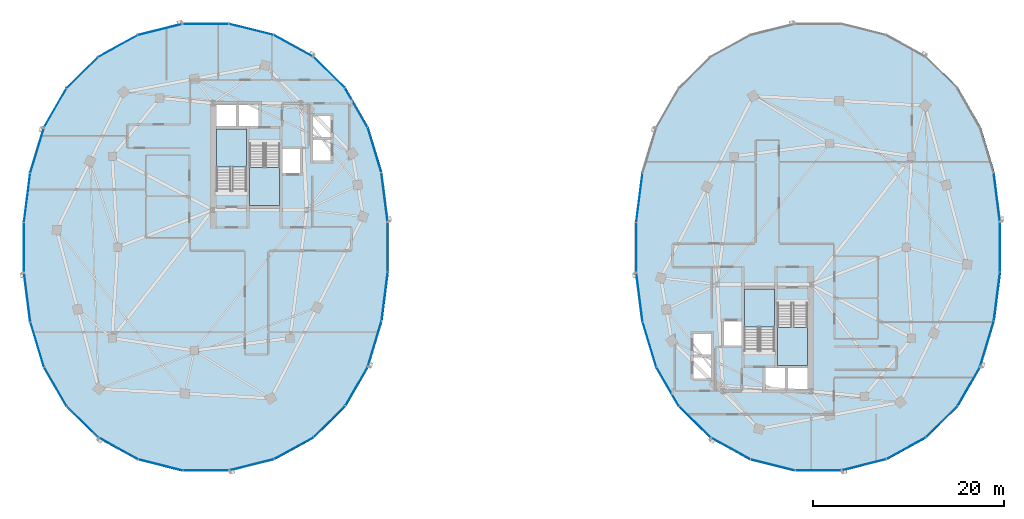
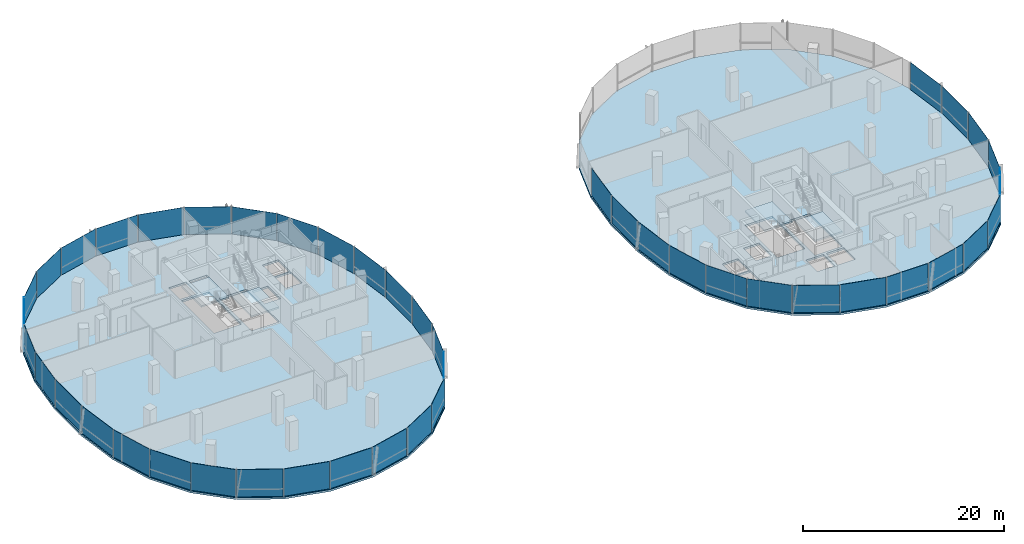
# One storey, part 10 of 22: 45 plates, 6 slabs, 12 elements without a shape of their own.
"""IFC4 building model written with IfcOpenShell, lengths in metres."""

from ifc_helpers import new_model, si_unit, direction, frame, origin, origin_2d, place, context, subcontext, project, spatial, polyline, rectangle, outline, extrude, material, layer, layer_set, type_object, element, aggregate, save


model = new_model("IFC4")

# Units and contexts
model_context = context("Model", 3, precision=1e-05, world=origin(), true_north=direction((0.0, 1.0)))
body_context = subcontext(model_context, "Body", "Model", "MODEL_VIEW")
ifc_project = project(units=[si_unit("LENGTHUNIT", "METRE"), si_unit("AREAUNIT", "SQUARE_METRE"), si_unit("VOLUMEUNIT", "CUBIC_METRE"), si_unit("PLANEANGLEUNIT", "RADIAN"), si_unit("MASSUNIT", "GRAM", prefix="KILO"), si_unit("THERMODYNAMICTEMPERATUREUNIT", "KELVIN"), si_unit("POWERUNIT", "WATT")], contexts=[model_context])

# Site, building, storey
site_placement = place(None, origin())
site = spatial("IfcSite", under=ifc_project, at=site_placement, CompositionType="ELEMENT")
building_placement = place(site_placement, origin())
building = spatial("IfcBuilding", under=site, at=building_placement, Name="Cundina Bronze Exchange", CompositionType="ELEMENT")
storey_placement = place(building_placement, frame((0.0, 0.0, 158.39990234375)))
storey = spatial("IfcBuildingStorey", under=building, at=storey_placement, Name="L41", CompositionType="ELEMENT", Elevation=158.39990234375)

# Curtain wall, plates
ifc_material_1 = material(Name="Anodised Bronze Aluminium 6063-T6", Category="aluminium")
curtain_wall_type = type_object("IfcCurtainWallType", Name="CWS-WST-PIN", PredefinedType="NOTDEFINED", material=ifc_material_1)
curtain_wall_1_placement = place(storey_placement, origin())
curtain_wall_1 = element("IfcCurtainWall", 1, at=curtain_wall_1_placement, inside=storey, type_object=curtain_wall_type, Name="L41 CW-04 Curtain Wall Run CWR-L41-W1", PredefinedType="NOTDEFINED")
ifc_material_2 = material(Name="Heat-Strengthened Solar-Control Bronze Safety Glass 28mm", Category="glass")
ifc_layer_1 = layer(ifc_material_2, 0.028076171875, Name="Heat-Strengthened Solar-Control Bronze Safety Glass 28mm", Category="glass")
ifc_layer_set_1 = layer_set([ifc_layer_1], Name="Heat-Strengthened Solar-Control Bronze Safety Glass 28mm")
plate_type_1 = type_object("IfcPlateType", Name="PLT-GLZ-VIS28", PredefinedType="CURTAIN_PANEL", material=ifc_layer_set_1)
plate_1_placement = place(storey_placement, frame((-13.320556640625, 5.2041015625, 0.02001953125), z_axis=(0.0, 0.0, 1.0), x_axis=(-0.126475984253, 0.9919696696, 0.0)))
plate_1 = element("IfcPlate", 2, at=plate_1_placement, type_object=plate_type_1, Name="CW-04 Glazed Panel 1", PredefinedType="CURTAIN_PANEL", context=body_context, shape_type="SweptSolid", body=[
    extrude(rectangle(XDim=5.104736328125, YDim=0.028076171875, at=origin_2d()), origin(), (0.0, 0.0, 1.0), 3.320068359375),
])
plate_2_placement = place(storey_placement, frame((-14.36669921875, 10.14208984375, 0.02001953125), z_axis=(0.0, 0.0, 1.0), x_axis=(-0.290050843957, 0.957011237092, 0.0)))
plate_2 = element("IfcPlate", 3, at=plate_2_placement, type_object=plate_type_1, Name="CW-04 Glazed Panel 2", PredefinedType="CURTAIN_PANEL", context=body_context, shape_type="SweptSolid", body=[
    extrude(rectangle(XDim=4.885009765625, YDim=0.028076171875, at=origin_2d()), origin(), (0.0, 0.0, 1.0), 3.320068359375),
])
plate_3_placement = place(storey_placement, frame((-16.265625, 14.564697265625, 0.02001953125), z_axis=(0.0, 0.0, 1.0), x_axis=(-0.498487739754, 0.866896748936, 0.0)))
plate_3 = element("IfcPlate", 4, at=plate_3_placement, type_object=plate_type_1, Name="CW-04 Glazed Panel 3", PredefinedType="CURTAIN_PANEL", context=body_context, shape_type="SweptSolid", body=[
    extrude(rectangle(XDim=4.676513671875, YDim=0.028076171875, at=origin_2d()), origin(), (0.0, 0.0, 1.0), 3.320068359375),
])
plate_4_placement = place(storey_placement, frame((-22.83154296875, 21.02880859375, 0.02001953125), z_axis=(0.0, 0.0, 1.0), x_axis=(-0.875869093438, 0.482548786301, 0.0)))
plate_4 = element("IfcPlate", 5, at=plate_4_placement, type_object=plate_type_1, Name="CW-04 Glazed Panel 5", PredefinedType="CURTAIN_PANEL", context=body_context, shape_type="SweptSolid", body=[
    extrude(rectangle(XDim=4.661865234375, YDim=0.028076171875, at=origin_2d()), origin(), (0.0, 0.0, 1.0), 3.320068359375),
])
plate_5_placement = place(storey_placement, frame((-27.23486328125, 22.75244140625, 0.02001953125), z_axis=(0.0, 0.0, 1.0), x_axis=(-0.970092713791, 0.242734683656, 0.0)))
plate_5 = element("IfcPlate", 6, at=plate_5_placement, type_object=plate_type_1, Name="CW-04 Glazed Panel 6", PredefinedType="CURTAIN_PANEL", context=body_context, shape_type="SweptSolid", body=[
    extrude(rectangle(XDim=4.7548828125, YDim=0.028076171875, at=origin_2d()), origin(), (0.0, 0.0, 1.0), 3.320068359375),
])
plate_6_placement = place(storey_placement, frame((-32.0, 23.3369140625, 0.02001953125), z_axis=(0.0, 0.0, 1.0), x_axis=(-1.0, 0.0, 0.0)))
plate_6 = element("IfcPlate", 7, at=plate_6_placement, type_object=plate_type_1, Name="CW-04 Glazed Panel 7", PredefinedType="CURTAIN_PANEL", context=body_context, shape_type="SweptSolid", body=[
    extrude(rectangle(XDim=4.7958984375, YDim=0.028076171875, at=origin_2d()), origin(), (0.0, 0.0, 1.0), 3.320068359375),
])

curtain_wall_2_placement = place(storey_placement, origin())
curtain_wall_2 = element("IfcCurtainWall", 8, at=curtain_wall_2_placement, inside=storey, type_object=curtain_wall_type, Name="L41 CW-04 Curtain Wall Run CWR-L41-W2", PredefinedType="NOTDEFINED")
plate_7_placement = place(storey_placement, frame((-36.76513671875, 22.75244140625, 0.02001953125), z_axis=(0.0, 0.0, 1.0), x_axis=(-0.970092713791, -0.242734683656, 0.0)))
plate_7 = element("IfcPlate", 9, at=plate_7_placement, type_object=plate_type_1, Name="CW-04 Glazed Panel 1", PredefinedType="CURTAIN_PANEL", context=body_context, shape_type="SweptSolid", body=[
    extrude(rectangle(XDim=4.7548828125, YDim=0.028076171875, at=origin_2d()), origin(), (0.0, 0.0, 1.0), 3.320068359375),
])
plate_8_placement = place(storey_placement, frame((-41.16845703125, 21.02880859375, 0.02001953125), z_axis=(0.0, 0.0, 1.0), x_axis=(-0.875869093438, -0.482548786301, 0.0)))
plate_8 = element("IfcPlate", 10, at=plate_8_placement, type_object=plate_type_1, Name="CW-04 Glazed Panel 2", PredefinedType="CURTAIN_PANEL", context=body_context, shape_type="SweptSolid", body=[
    extrude(rectangle(XDim=4.661865234375, YDim=0.028076171875, at=origin_2d()), origin(), (0.0, 0.0, 1.0), 3.320068359375),
])
plate_9_placement = place(storey_placement, frame((-47.734375, 14.564697265625, 0.02001953125), z_axis=(0.0, 0.0, 1.0), x_axis=(-0.498487739754, -0.866896748936, 0.0)))
plate_9 = element("IfcPlate", 11, at=plate_9_placement, type_object=plate_type_1, Name="CW-04 Glazed Panel 4", PredefinedType="CURTAIN_PANEL", context=body_context, shape_type="SweptSolid", body=[
    extrude(rectangle(XDim=4.676513671875, YDim=0.028076171875, at=origin_2d()), origin(), (0.0, 0.0, 1.0), 3.320068359375),
])
plate_10_placement = place(storey_placement, frame((-49.63330078125, 10.14208984375, 0.02001953125), z_axis=(0.0, 0.0, 1.0), x_axis=(-0.290050843957, -0.957011237092, 0.0)))
plate_10 = element("IfcPlate", 12, at=plate_10_placement, type_object=plate_type_1, Name="CW-04 Glazed Panel 5", PredefinedType="CURTAIN_PANEL", context=body_context, shape_type="SweptSolid", body=[
    extrude(rectangle(XDim=4.885009765625, YDim=0.028076171875, at=origin_2d()), origin(), (0.0, 0.0, 1.0), 3.320068359375),
])
plate_11_placement = place(storey_placement, frame((-50.679443359375, 5.2041015625, 0.02001953125), z_axis=(0.0, 0.0, 1.0), x_axis=(-0.126475984253, -0.9919696696, 0.0)))
plate_11 = element("IfcPlate", 13, at=plate_11_placement, type_object=plate_type_1, Name="CW-04 Glazed Panel 6", PredefinedType="CURTAIN_PANEL", context=body_context, shape_type="SweptSolid", body=[
    extrude(rectangle(XDim=5.104736328125, YDim=0.028076171875, at=origin_2d()), origin(), (0.0, 0.0, 1.0), 3.320068359375),
])
plate_12_placement = place(storey_placement, frame((-51.007080078125, 0.0, 0.02001953125), z_axis=(0.0, 0.0, 1.0), x_axis=(0.0, -1.0, 0.0)))
plate_12 = element("IfcPlate", 14, at=plate_12_placement, type_object=plate_type_1, Name="CW-04 Glazed Panel 7", PredefinedType="CURTAIN_PANEL", context=body_context, shape_type="SweptSolid", body=[
    extrude(rectangle(XDim=5.194091796875, YDim=0.028076171875, at=origin_2d()), origin(), (0.0, 0.0, 1.0), 3.320068359375),
])

curtain_wall_3_placement = place(storey_placement, origin())
curtain_wall_3 = element("IfcCurtainWall", 15, at=curtain_wall_3_placement, inside=storey, type_object=curtain_wall_type, Name="L41 CW-04 Curtain Wall Run CWR-L41-W3", PredefinedType="NOTDEFINED")
plate_13_placement = place(storey_placement, frame((-50.679443359375, -5.2041015625, 0.02001953125), z_axis=(0.0, 0.0, 1.0), x_axis=(0.126475984253, -0.9919696696, 0.0)))
plate_13 = element("IfcPlate", 16, at=plate_13_placement, type_object=plate_type_1, Name="CW-04 Glazed Panel 1", PredefinedType="CURTAIN_PANEL", context=body_context, shape_type="SweptSolid", body=[
    extrude(rectangle(XDim=5.104736328125, YDim=0.028076171875, at=origin_2d()), origin(), (0.0, 0.0, 1.0), 3.320068359375),
])
plate_14_placement = place(storey_placement, frame((-47.734375, -14.564697265625, 0.02001953125), z_axis=(0.0, 0.0, 1.0), x_axis=(0.498487739754, -0.866896748936, 0.0)))
plate_14 = element("IfcPlate", 17, at=plate_14_placement, type_object=plate_type_1, Name="CW-04 Glazed Panel 3", PredefinedType="CURTAIN_PANEL", context=body_context, shape_type="SweptSolid", body=[
    extrude(rectangle(XDim=4.676513671875, YDim=0.028076171875, at=origin_2d()), origin(), (0.0, 0.0, 1.0), 3.320068359375),
])
plate_15_placement = place(storey_placement, frame((-44.894775390625, -18.253662109375, 0.02001953125), z_axis=(0.0, 0.0, 1.0), x_axis=(0.711989280367, -0.702190333629, 0.0)))
plate_15 = element("IfcPlate", 18, at=plate_15_placement, type_object=plate_type_1, Name="CW-04 Glazed Panel 4", PredefinedType="CURTAIN_PANEL", context=body_context, shape_type="SweptSolid", body=[
    extrude(rectangle(XDim=4.6025390625, YDim=0.028076171875, at=origin_2d()), origin(), (0.0, 0.0, 1.0), 3.320068359375),
])
plate_16_placement = place(storey_placement, frame((-41.16845703125, -21.02880859375, 0.02001953125), z_axis=(0.0, 0.0, 1.0), x_axis=(0.875869093438, -0.482548786301, 0.0)))
plate_16 = element("IfcPlate", 19, at=plate_16_placement, type_object=plate_type_1, Name="CW-04 Glazed Panel 5", PredefinedType="CURTAIN_PANEL", context=body_context, shape_type="SweptSolid", body=[
    extrude(rectangle(XDim=4.661865234375, YDim=0.028076171875, at=origin_2d()), origin(), (0.0, 0.0, 1.0), 3.320068359375),
])
plate_17_placement = place(storey_placement, frame((-36.76513671875, -22.75244140625, 0.02001953125), z_axis=(0.0, 0.0, 1.0), x_axis=(0.970092713791, -0.242734683656, 0.0)))
plate_17 = element("IfcPlate", 20, at=plate_17_placement, type_object=plate_type_1, Name="CW-04 Glazed Panel 6", PredefinedType="CURTAIN_PANEL", context=body_context, shape_type="SweptSolid", body=[
    extrude(rectangle(XDim=4.7548828125, YDim=0.028076171875, at=origin_2d()), origin(), (0.0, 0.0, 1.0), 3.320068359375),
])

curtain_wall_4_placement = place(storey_placement, origin())
curtain_wall_4 = element("IfcCurtainWall", 21, at=curtain_wall_4_placement, inside=storey, type_object=curtain_wall_type, Name="L41 CW-04 Curtain Wall Run CWR-L41-W4", PredefinedType="NOTDEFINED")
plate_18_placement = place(storey_placement, frame((-22.83154296875, -21.02880859375, 0.02001953125), z_axis=(0.0, 0.0, 1.0), x_axis=(0.875869093438, 0.482548786301, 0.0)))
plate_18 = element("IfcPlate", 22, at=plate_18_placement, type_object=plate_type_1, Name="CW-04 Glazed Panel 2", PredefinedType="CURTAIN_PANEL", context=body_context, shape_type="SweptSolid", body=[
    extrude(rectangle(XDim=4.661865234375, YDim=0.028076171875, at=origin_2d()), origin(), (0.0, 0.0, 1.0), 3.320068359375),
])
plate_19_placement = place(storey_placement, frame((-19.105224609375, -18.253662109375, 0.02001953125), z_axis=(0.0, 0.0, 1.0), x_axis=(0.711989280367, 0.702190333629, 0.0)))
plate_19 = element("IfcPlate", 23, at=plate_19_placement, type_object=plate_type_1, Name="CW-04 Glazed Panel 3", PredefinedType="CURTAIN_PANEL", context=body_context, shape_type="SweptSolid", body=[
    extrude(rectangle(XDim=4.6025390625, YDim=0.028076171875, at=origin_2d()), origin(), (0.0, 0.0, 1.0), 3.320068359375),
])
plate_20_placement = place(storey_placement, frame((-16.265625, -14.564697265625, 0.02001953125), z_axis=(0.0, 0.0, 1.0), x_axis=(0.498487739754, 0.866896748936, 0.0)))
plate_20 = element("IfcPlate", 24, at=plate_20_placement, type_object=plate_type_1, Name="CW-04 Glazed Panel 4", PredefinedType="CURTAIN_PANEL", context=body_context, shape_type="SweptSolid", body=[
    extrude(rectangle(XDim=4.676513671875, YDim=0.028076171875, at=origin_2d()), origin(), (0.0, 0.0, 1.0), 3.320068359375),
])
plate_21_placement = place(storey_placement, frame((-14.36669921875, -10.14208984375, 0.02001953125), z_axis=(0.0, 0.0, 1.0), x_axis=(0.290050843957, 0.957011237092, 0.0)))
plate_21 = element("IfcPlate", 25, at=plate_21_placement, type_object=plate_type_1, Name="CW-04 Glazed Panel 5", PredefinedType="CURTAIN_PANEL", context=body_context, shape_type="SweptSolid", body=[
    extrude(rectangle(XDim=4.885009765625, YDim=0.028076171875, at=origin_2d()), origin(), (0.0, 0.0, 1.0), 3.320068359375),
])
plate_22_placement = place(storey_placement, frame((-12.992919921875, 0.0, 0.02001953125), z_axis=(0.0, 0.0, 1.0), x_axis=(0.0, 1.0, 0.0)))
plate_22 = element("IfcPlate", 26, at=plate_22_placement, type_object=plate_type_1, Name="CW-04 Glazed Panel 7", PredefinedType="CURTAIN_PANEL", context=body_context, shape_type="SweptSolid", body=[
    extrude(rectangle(XDim=5.194091796875, YDim=0.028076171875, at=origin_2d()), origin(), (0.0, 0.0, 1.0), 3.320068359375),
])

# Curtain wall, plate
curtain_wall_5_placement = place(storey_placement, origin())
curtain_wall_5 = element("IfcCurtainWall", 27, at=curtain_wall_5_placement, inside=storey, type_object=curtain_wall_type, Name="L41 CW-04 Curtain Wall Run CWR-L41-E1", PredefinedType="NOTDEFINED")
plate_23_placement = place(storey_placement, frame((50.679443359375, 5.2041015625, 0.02001953125), z_axis=(0.0, 0.0, 1.0), x_axis=(-0.126475984253, 0.9919696696, 0.0)))
plate_23 = element("IfcPlate", 28, at=plate_23_placement, type_object=plate_type_1, Name="CW-04 Glazed Panel 1", PredefinedType="CURTAIN_PANEL", context=body_context, shape_type="SweptSolid", body=[
    extrude(rectangle(XDim=5.104736328125, YDim=0.028076171875, at=origin_2d()), origin(), (0.0, 0.0, 1.0), 3.320068359375),
])
aggregate(curtain_wall_5, [plate_23])

# Curtain wall, plates
curtain_wall_6_placement = place(storey_placement, origin())
curtain_wall_6 = element("IfcCurtainWall", 29, at=curtain_wall_6_placement, inside=storey, type_object=curtain_wall_type, Name="L41 CW-04 Curtain Wall Run CWR-L41-E2", PredefinedType="NOTDEFINED")
plate_24_placement = place(storey_placement, frame((13.320556640625, 5.2041015625, 0.02001953125), z_axis=(0.0, 0.0, 1.0), x_axis=(-0.126475984253, -0.9919696696, 0.0)))
plate_24 = element("IfcPlate", 30, at=plate_24_placement, type_object=plate_type_1, Name="CW-04 Glazed Panel 6", PredefinedType="CURTAIN_PANEL", context=body_context, shape_type="SweptSolid", body=[
    extrude(rectangle(XDim=5.104736328125, YDim=0.028076171875, at=origin_2d()), origin(), (0.0, 0.0, 1.0), 3.320068359375),
])
plate_25_placement = place(storey_placement, frame((12.992919921875, 0.0, 0.02001953125), z_axis=(0.0, 0.0, 1.0), x_axis=(0.0, -1.0, 0.0)))
plate_25 = element("IfcPlate", 31, at=plate_25_placement, type_object=plate_type_1, Name="CW-04 Glazed Panel 7", PredefinedType="CURTAIN_PANEL", context=body_context, shape_type="SweptSolid", body=[
    extrude(rectangle(XDim=5.194091796875, YDim=0.028076171875, at=origin_2d()), origin(), (0.0, 0.0, 1.0), 3.320068359375),
])
aggregate(curtain_wall_6, [plate_24, plate_25])

curtain_wall_7_placement = place(storey_placement, origin())
curtain_wall_7 = element("IfcCurtainWall", 32, at=curtain_wall_7_placement, inside=storey, type_object=curtain_wall_type, Name="L41 CW-04 Curtain Wall Run CWR-L41-E3", PredefinedType="NOTDEFINED")
plate_26_placement = place(storey_placement, frame((13.320556640625, -5.2041015625, 0.02001953125), z_axis=(0.0, 0.0, 1.0), x_axis=(0.126475984253, -0.9919696696, 0.0)))
plate_26 = element("IfcPlate", 33, at=plate_26_placement, type_object=plate_type_1, Name="CW-04 Glazed Panel 1", PredefinedType="CURTAIN_PANEL", context=body_context, shape_type="SweptSolid", body=[
    extrude(rectangle(XDim=5.104736328125, YDim=0.028076171875, at=origin_2d()), origin(), (0.0, 0.0, 1.0), 3.320068359375),
])
plate_27_placement = place(storey_placement, frame((16.265625, -14.564697265625, 0.02001953125), z_axis=(0.0, 0.0, 1.0), x_axis=(0.498487739754, -0.866896748936, 0.0)))
plate_27 = element("IfcPlate", 34, at=plate_27_placement, type_object=plate_type_1, Name="CW-04 Glazed Panel 3", PredefinedType="CURTAIN_PANEL", context=body_context, shape_type="SweptSolid", body=[
    extrude(rectangle(XDim=4.676513671875, YDim=0.028076171875, at=origin_2d()), origin(), (0.0, 0.0, 1.0), 3.320068359375),
])
plate_28_placement = place(storey_placement, frame((19.105224609375, -18.253662109375, 0.02001953125), z_axis=(0.0, 0.0, 1.0), x_axis=(0.711989280367, -0.702190333629, 0.0)))
plate_28 = element("IfcPlate", 35, at=plate_28_placement, type_object=plate_type_1, Name="CW-04 Glazed Panel 4", PredefinedType="CURTAIN_PANEL", context=body_context, shape_type="SweptSolid", body=[
    extrude(rectangle(XDim=4.6025390625, YDim=0.028076171875, at=origin_2d()), origin(), (0.0, 0.0, 1.0), 3.320068359375),
])
plate_29_placement = place(storey_placement, frame((22.83154296875, -21.02880859375, 0.02001953125), z_axis=(0.0, 0.0, 1.0), x_axis=(0.875869093438, -0.482548786301, 0.0)))
plate_29 = element("IfcPlate", 36, at=plate_29_placement, type_object=plate_type_1, Name="CW-04 Glazed Panel 5", PredefinedType="CURTAIN_PANEL", context=body_context, shape_type="SweptSolid", body=[
    extrude(rectangle(XDim=4.661865234375, YDim=0.028076171875, at=origin_2d()), origin(), (0.0, 0.0, 1.0), 3.320068359375),
])
plate_30_placement = place(storey_placement, frame((27.23486328125, -22.75244140625, 0.02001953125), z_axis=(0.0, 0.0, 1.0), x_axis=(0.970092713791, -0.242734683656, 0.0)))
plate_30 = element("IfcPlate", 37, at=plate_30_placement, type_object=plate_type_1, Name="CW-04 Glazed Panel 6", PredefinedType="CURTAIN_PANEL", context=body_context, shape_type="SweptSolid", body=[
    extrude(rectangle(XDim=4.7548828125, YDim=0.028076171875, at=origin_2d()), origin(), (0.0, 0.0, 1.0), 3.320068359375),
])

curtain_wall_8_placement = place(storey_placement, origin())
curtain_wall_8 = element("IfcCurtainWall", 38, at=curtain_wall_8_placement, inside=storey, type_object=curtain_wall_type, Name="L41 CW-04 Curtain Wall Run CWR-L41-E4", PredefinedType="NOTDEFINED")
plate_31_placement = place(storey_placement, frame((41.16845703125, -21.02880859375, 0.02001953125), z_axis=(0.0, 0.0, 1.0), x_axis=(0.875869093438, 0.482548786301, 0.0)))
plate_31 = element("IfcPlate", 39, at=plate_31_placement, type_object=plate_type_1, Name="CW-04 Glazed Panel 2", PredefinedType="CURTAIN_PANEL", context=body_context, shape_type="SweptSolid", body=[
    extrude(rectangle(XDim=4.661865234375, YDim=0.028076171875, at=origin_2d()), origin(), (0.0, 0.0, 1.0), 3.320068359375),
])
plate_32_placement = place(storey_placement, frame((44.894775390625, -18.253662109375, 0.02001953125), z_axis=(0.0, 0.0, 1.0), x_axis=(0.711989280367, 0.702190333629, 0.0)))
plate_32 = element("IfcPlate", 40, at=plate_32_placement, type_object=plate_type_1, Name="CW-04 Glazed Panel 3", PredefinedType="CURTAIN_PANEL", context=body_context, shape_type="SweptSolid", body=[
    extrude(rectangle(XDim=4.6025390625, YDim=0.028076171875, at=origin_2d()), origin(), (0.0, 0.0, 1.0), 3.320068359375),
])
plate_33_placement = place(storey_placement, frame((47.734375, -14.564697265625, 0.02001953125), z_axis=(0.0, 0.0, 1.0), x_axis=(0.498487739754, 0.866896748936, 0.0)))
plate_33 = element("IfcPlate", 41, at=plate_33_placement, type_object=plate_type_1, Name="CW-04 Glazed Panel 4", PredefinedType="CURTAIN_PANEL", context=body_context, shape_type="SweptSolid", body=[
    extrude(rectangle(XDim=4.676513671875, YDim=0.028076171875, at=origin_2d()), origin(), (0.0, 0.0, 1.0), 3.320068359375),
])
plate_34_placement = place(storey_placement, frame((49.63330078125, -10.14208984375, 0.02001953125), z_axis=(0.0, 0.0, 1.0), x_axis=(0.290050843957, 0.957011237092, 0.0)))
plate_34 = element("IfcPlate", 42, at=plate_34_placement, type_object=plate_type_1, Name="CW-04 Glazed Panel 5", PredefinedType="CURTAIN_PANEL", context=body_context, shape_type="SweptSolid", body=[
    extrude(rectangle(XDim=4.885009765625, YDim=0.028076171875, at=origin_2d()), origin(), (0.0, 0.0, 1.0), 3.320068359375),
])
plate_35_placement = place(storey_placement, frame((51.007080078125, 0.0, 0.02001953125), z_axis=(0.0, 0.0, 1.0), x_axis=(0.0, 1.0, 0.0)))
plate_35 = element("IfcPlate", 43, at=plate_35_placement, type_object=plate_type_1, Name="CW-04 Glazed Panel 7", PredefinedType="CURTAIN_PANEL", context=body_context, shape_type="SweptSolid", body=[
    extrude(rectangle(XDim=5.194091796875, YDim=0.028076171875, at=origin_2d()), origin(), (0.0, 0.0, 1.0), 3.320068359375),
])

# Plate
ifc_material_3 = material(Name="Dark Bronze Spandrel Glass Panel 32mm", Category="glass")
ifc_layer_2 = layer(ifc_material_3, 0.031982421875, Name="Dark Bronze Spandrel Glass Panel 32mm", Category="glass")
ifc_layer_set_2 = layer_set([ifc_layer_2], Name="Dark Bronze Spandrel Glass Panel 32mm")
plate_type_2 = type_object("IfcPlateType", Name="PLT-SPN-BRZ32", PredefinedType="CURTAIN_PANEL", material=ifc_layer_set_2)
plate_36_placement = place(storey_placement, frame((-19.105224609375, 18.253662109375, 0.02001953125), z_axis=(0.0, 0.0, 1.0), x_axis=(-0.711989280367, 0.702190333629, 0.0)))
plate_36 = element("IfcPlate", 44, at=plate_36_placement, type_object=plate_type_2, Name="CW-04 Glazed Panel 4", PredefinedType="CURTAIN_PANEL", context=body_context, shape_type="SweptSolid", body=[
    extrude(rectangle(XDim=4.6025390625, YDim=0.031982421875, at=origin_2d()), origin(), (0.0, 0.0, 1.0), 3.320068359375),
])

aggregate(curtain_wall_1, [plate_1, plate_2, plate_3, plate_36, plate_4, plate_5, plate_6])

plate_37_placement = place(storey_placement, frame((-44.894775390625, 18.253662109375, 0.02001953125), z_axis=(0.0, 0.0, 1.0), x_axis=(-0.711989280367, -0.702190333629, 0.0)))
plate_37 = element("IfcPlate", 45, at=plate_37_placement, type_object=plate_type_2, Name="CW-04 Glazed Panel 3", PredefinedType="CURTAIN_PANEL", context=body_context, shape_type="SweptSolid", body=[
    extrude(rectangle(XDim=4.6025390625, YDim=0.031982421875, at=origin_2d()), origin(), (0.0, 0.0, 1.0), 3.320068359375),
])

aggregate(curtain_wall_2, [plate_7, plate_8, plate_37, plate_9, plate_10, plate_11, plate_12])

plate_38_placement = place(storey_placement, frame((-49.63330078125, -10.14208984375, 0.02001953125), z_axis=(0.0, 0.0, 1.0), x_axis=(0.290050843957, -0.957011237092, 0.0)))
plate_38 = element("IfcPlate", 46, at=plate_38_placement, type_object=plate_type_2, Name="CW-04 Glazed Panel 2", PredefinedType="CURTAIN_PANEL", context=body_context, shape_type="SweptSolid", body=[
    extrude(rectangle(XDim=4.885009765625, YDim=0.031982421875, at=origin_2d()), origin(), (0.0, 0.0, 1.0), 3.320068359375),
])

plate_39_placement = place(storey_placement, frame((-32.0, -23.3369140625, 0.02001953125), z_axis=(0.0, 0.0, 1.0), x_axis=(1.0, 0.0, 0.0)))
plate_39 = element("IfcPlate", 47, at=plate_39_placement, type_object=plate_type_2, Name="CW-04 Glazed Panel 7", PredefinedType="CURTAIN_PANEL", context=body_context, shape_type="SweptSolid", body=[
    extrude(rectangle(XDim=4.7958984375, YDim=0.031982421875, at=origin_2d()), origin(), (0.0, 0.0, 1.0), 3.320068359375),
])

aggregate(curtain_wall_3, [plate_13, plate_38, plate_14, plate_15, plate_16, plate_17, plate_39])

plate_40_placement = place(storey_placement, frame((-27.23486328125, -22.75244140625, 0.02001953125), z_axis=(0.0, 0.0, 1.0), x_axis=(0.970092713791, 0.242734683656, 0.0)))
plate_40 = element("IfcPlate", 48, at=plate_40_placement, type_object=plate_type_2, Name="CW-04 Glazed Panel 1", PredefinedType="CURTAIN_PANEL", context=body_context, shape_type="SweptSolid", body=[
    extrude(rectangle(XDim=4.7548828125, YDim=0.031982421875, at=origin_2d()), origin(), (0.0, 0.0, 1.0), 3.320068359375),
])

plate_41_placement = place(storey_placement, frame((-13.320556640625, -5.2041015625, 0.02001953125), z_axis=(0.0, 0.0, 1.0), x_axis=(0.126475984253, 0.9919696696, 0.0)))
plate_41 = element("IfcPlate", 49, at=plate_41_placement, type_object=plate_type_2, Name="CW-04 Glazed Panel 6", PredefinedType="CURTAIN_PANEL", context=body_context, shape_type="SweptSolid", body=[
    extrude(rectangle(XDim=5.104736328125, YDim=0.031982421875, at=origin_2d()), origin(), (0.0, 0.0, 1.0), 3.320068359375),
])

aggregate(curtain_wall_4, [plate_40, plate_18, plate_19, plate_20, plate_21, plate_41, plate_22])

plate_42_placement = place(storey_placement, frame((14.36669921875, -10.14208984375, 0.02001953125), z_axis=(0.0, 0.0, 1.0), x_axis=(0.290050843957, -0.957011237092, 0.0)))
plate_42 = element("IfcPlate", 50, at=plate_42_placement, type_object=plate_type_2, Name="CW-04 Glazed Panel 2", PredefinedType="CURTAIN_PANEL", context=body_context, shape_type="SweptSolid", body=[
    extrude(rectangle(XDim=4.885009765625, YDim=0.031982421875, at=origin_2d()), origin(), (0.0, 0.0, 1.0), 3.320068359375),
])

plate_43_placement = place(storey_placement, frame((32.0, -23.3369140625, 0.02001953125), z_axis=(0.0, 0.0, 1.0), x_axis=(1.0, 0.0, 0.0)))
plate_43 = element("IfcPlate", 51, at=plate_43_placement, type_object=plate_type_2, Name="CW-04 Glazed Panel 7", PredefinedType="CURTAIN_PANEL", context=body_context, shape_type="SweptSolid", body=[
    extrude(rectangle(XDim=4.7958984375, YDim=0.031982421875, at=origin_2d()), origin(), (0.0, 0.0, 1.0), 3.320068359375),
])

aggregate(curtain_wall_7, [plate_26, plate_42, plate_27, plate_28, plate_29, plate_30, plate_43])

plate_44_placement = place(storey_placement, frame((36.76513671875, -22.75244140625, 0.02001953125), z_axis=(0.0, 0.0, 1.0), x_axis=(0.970092713791, 0.242734683656, 0.0)))
plate_44 = element("IfcPlate", 52, at=plate_44_placement, type_object=plate_type_2, Name="CW-04 Glazed Panel 1", PredefinedType="CURTAIN_PANEL", context=body_context, shape_type="SweptSolid", body=[
    extrude(rectangle(XDim=4.7548828125, YDim=0.031982421875, at=origin_2d()), origin(), (0.0, 0.0, 1.0), 3.320068359375),
])

plate_45_placement = place(storey_placement, frame((50.679443359375, -5.2041015625, 0.02001953125), z_axis=(0.0, 0.0, 1.0), x_axis=(0.126475984253, 0.9919696696, 0.0)))
plate_45 = element("IfcPlate", 53, at=plate_45_placement, type_object=plate_type_2, Name="CW-04 Glazed Panel 6", PredefinedType="CURTAIN_PANEL", context=body_context, shape_type="SweptSolid", body=[
    extrude(rectangle(XDim=5.104736328125, YDim=0.031982421875, at=origin_2d()), origin(), (0.0, 0.0, 1.0), 3.320068359375),
])

aggregate(curtain_wall_8, [plate_44, plate_31, plate_32, plate_33, plate_34, plate_45, plate_35])

# Stair, slab
ifc_material_4 = material(Name="Concrete C40/50", Category="concrete")
stair_type = type_object("IfcStairType", Name="STR-OFF-360", PredefinedType="HALF_TURN_STAIR", material=ifc_material_4)
stair_1_placement = place(storey_placement, origin())
stair_1 = element("IfcStair", 54, at=stair_1_placement, inside=storey, type_object=stair_type, Name="L41 Smokeproof Exit Stair W1", PredefinedType="HALF_TURN_STAIR")
ifc_layer_3 = layer(ifc_material_4, 0.199951171875, Name="Concrete C40/50", Category="concrete")
ifc_layer_set_3 = layer_set([ifc_layer_3], Name="Concrete C40/50")
slab_type_1 = type_object("IfcSlabType", Name="SLB-LND-200", PredefinedType="LANDING", material=ifc_layer_set_3)
slab_1_placement = place(storey_placement, frame((0.0, 0.0, 1.60009765625)))
slab_1 = element("IfcSlab", 55, at=slab_1_placement, type_object=slab_type_1, Name="ST-W1 landing 1", PredefinedType="LANDING", context=body_context, shape_type="SweptSolid", body=[
    extrude(outline(polyline([(-27.739990234375, 8.3701171875), (-27.739990234375, 12.35009765625), (-30.89990234375, 12.35009765625), (-30.89990234375, 8.3701171875), (-27.739990234375, 8.3701171875)])), origin(), (0.0, 0.0, 1.0), 0.199951171875),
])
aggregate(stair_1, [slab_1])

stair_2_placement = place(storey_placement, origin())
stair_2 = element("IfcStair", 56, at=stair_2_placement, inside=storey, type_object=stair_type, Name="L41 Smokeproof Exit Stair W2", PredefinedType="HALF_TURN_STAIR")
slab_2_placement = place(storey_placement, frame((0.0, 0.0, 1.60009765625)))
slab_2 = element("IfcSlab", 57, at=slab_2_placement, type_object=slab_type_1, Name="ST-W2 landing 1", PredefinedType="LANDING", context=body_context, shape_type="SweptSolid", body=[
    extrude(outline(polyline([(-27.43994140625, 8.330078125), (-27.43994140625, 4.35009765625), (-24.280029296875, 4.35009765625), (-24.280029296875, 8.330078125), (-27.43994140625, 8.330078125)])), origin(), (0.0, 0.0, 1.0), 0.199951171875),
])
aggregate(stair_2, [slab_2])

stair_3_placement = place(storey_placement, origin())
stair_3 = element("IfcStair", 58, at=stair_3_placement, inside=storey, type_object=stair_type, Name="L41 Smokeproof Exit Stair E1", PredefinedType="HALF_TURN_STAIR")
slab_3_placement = place(storey_placement, frame((0.0, 0.0, 1.60009765625)))
slab_3 = element("IfcSlab", 59, at=slab_3_placement, type_object=slab_type_1, Name="ST-E1 landing 1", PredefinedType="LANDING", context=body_context, shape_type="SweptSolid", body=[
    extrude(outline(polyline([(27.739990234375, -8.3701171875), (27.739990234375, -12.35009765625), (30.89990234375, -12.35009765625), (30.89990234375, -8.3701171875), (27.739990234375, -8.3701171875)])), origin(), (0.0, 0.0, 1.0), 0.199951171875),
])
aggregate(stair_3, [slab_3])

stair_4_placement = place(storey_placement, origin())
stair_4 = element("IfcStair", 60, at=stair_4_placement, inside=storey, type_object=stair_type, Name="L41 Smokeproof Exit Stair E2", PredefinedType="HALF_TURN_STAIR")
slab_4_placement = place(storey_placement, frame((0.0, 0.0, 1.60009765625)))
slab_4 = element("IfcSlab", 61, at=slab_4_placement, type_object=slab_type_1, Name="ST-E2 landing 1", PredefinedType="LANDING", context=body_context, shape_type="SweptSolid", body=[
    extrude(outline(polyline([(27.43994140625, -8.330078125), (27.43994140625, -4.35009765625), (24.280029296875, -4.35009765625), (24.280029296875, -8.330078125), (27.43994140625, -8.330078125)])), origin(), (0.0, 0.0, 1.0), 0.199951171875),
])
aggregate(stair_4, [slab_4])

# Slabs
ifc_material_5 = material(Name="Concrete C50/60", Category="concrete")
ifc_layer_4 = layer(ifc_material_5, 0.239990234375, Name="Concrete C50/60", Category="concrete")
ifc_layer_set_4 = layer_set([ifc_layer_4], Name="Concrete C50/60")
slab_type_2 = type_object("IfcSlabType", Name="SLB-WST-240", PredefinedType="FLOOR", material=ifc_layer_set_4)
slab_5_placement = place(storey_placement, frame((0.0, 0.0, -0.239990234375)))
element("IfcSlab", 62, at=slab_5_placement, inside=storey, type_object=slab_type_2, Name="L41 Leg W Structural Floor Slab", PredefinedType="FLOOR", context=body_context, shape_type="SweptSolid", body=[
    extrude(outline(polyline([(-12.8779296875, 2.64208984375), (-13.534912109375, 7.794921875), (-14.97802734375, 12.555908203125), (-17.35400390625, 16.68798828125), (-20.695068359375, 19.98291015625), (-24.85693359375, 22.27587890625), (-29.556884765625, 23.451904296875), (-34.443115234375, 23.451904296875), (-39.14306640625, 22.27587890625), (-43.304931640625, 19.98291015625), (-46.64599609375, 16.68798828125), (-49.02197265625, 12.555908203125), (-50.465087890625, 7.794921875), (-51.1220703125, 2.64208984375), (-51.1220703125, -2.64208984375), (-50.465087890625, -7.794921875), (-49.02197265625, -12.555908203125), (-46.64599609375, -16.68798828125), (-43.304931640625, -19.98291015625), (-39.14306640625, -22.27587890625), (-34.443115234375, -23.451904296875), (-29.556884765625, -23.451904296875), (-24.85693359375, -22.27587890625), (-20.695068359375, -19.98291015625), (-17.35400390625, -16.68798828125), (-14.97802734375, -12.555908203125), (-13.534912109375, -7.794921875), (-12.8779296875, -2.64208984375), (-12.8779296875, 2.64208984375)]), holes=[polyline([(-27.739990234375, 5.85009765625), (-27.739990234375, 12.35009765625), (-30.89990234375, 12.35009765625), (-30.89990234375, 5.85009765625), (-27.739990234375, 5.85009765625)]), polyline([(-27.43994140625, 10.85009765625), (-27.43994140625, 4.35009765625), (-24.280029296875, 4.35009765625), (-24.280029296875, 10.85009765625), (-27.43994140625, 10.85009765625)]), polyline([(-23.97998046875, 10.25), (-22.179931640625, 10.25), (-22.179931640625, 7.75), (-23.97998046875, 7.75), (-23.97998046875, 10.25)]), polyline([(-30.89990234375, 14.949951171875), (-28.85009765625, 14.949951171875), (-28.85009765625, 12.64990234375), (-30.89990234375, 12.64990234375), (-30.89990234375, 14.949951171875)]), polyline([(-28.550048828125, 14.949951171875), (-26.5, 14.949951171875), (-26.5, 12.64990234375), (-28.550048828125, 12.64990234375), (-28.550048828125, 14.949951171875)]), polyline([(-20.800048828125, 13.699951171875), (-18.949951171875, 13.699951171875), (-18.949951171875, 11.449951171875), (-20.800048828125, 11.449951171875), (-20.800048828125, 13.699951171875)]), polyline([(-20.800048828125, 11.300048828125), (-18.949951171875, 11.300048828125), (-18.949951171875, 9.050048828125), (-20.800048828125, 9.050048828125), (-20.800048828125, 11.300048828125)])]), origin(), (0.0, 0.0, 1.0), 0.239990234375),
])
slab_6_placement = place(storey_placement, frame((0.0, 0.0, -0.239990234375)))
element("IfcSlab", 63, at=slab_6_placement, inside=storey, type_object=slab_type_2, Name="L41 Leg E Structural Floor Slab", PredefinedType="FLOOR", context=body_context, shape_type="SweptSolid", body=[
    extrude(outline(polyline([(51.1220703125, 2.64208984375), (50.465087890625, 7.794921875), (49.02197265625, 12.555908203125), (46.64599609375, 16.68798828125), (43.304931640625, 19.98291015625), (39.14306640625, 22.27587890625), (34.443115234375, 23.451904296875), (29.556884765625, 23.451904296875), (24.85693359375, 22.27587890625), (20.695068359375, 19.98291015625), (17.35400390625, 16.68798828125), (14.97802734375, 12.555908203125), (13.534912109375, 7.794921875), (12.8779296875, 2.64208984375), (12.8779296875, -2.64208984375), (13.534912109375, -7.794921875), (14.97802734375, -12.555908203125), (17.35400390625, -16.68798828125), (20.695068359375, -19.98291015625), (24.85693359375, -22.27587890625), (29.556884765625, -23.451904296875), (34.443115234375, -23.451904296875), (39.14306640625, -22.27587890625), (43.304931640625, -19.98291015625), (46.64599609375, -16.68798828125), (49.02197265625, -12.555908203125), (50.465087890625, -7.794921875), (51.1220703125, -2.64208984375), (51.1220703125, 2.64208984375)]), holes=[polyline([(27.739990234375, -5.85009765625), (27.739990234375, -12.35009765625), (30.89990234375, -12.35009765625), (30.89990234375, -5.85009765625), (27.739990234375, -5.85009765625)]), polyline([(27.43994140625, -10.85009765625), (27.43994140625, -4.35009765625), (24.280029296875, -4.35009765625), (24.280029296875, -10.85009765625), (27.43994140625, -10.85009765625)]), polyline([(22.179931640625, -7.75), (23.97998046875, -7.75), (23.97998046875, -10.25), (22.179931640625, -10.25), (22.179931640625, -7.75)]), polyline([(28.85009765625, -12.64990234375), (30.89990234375, -12.64990234375), (30.89990234375, -14.949951171875), (28.85009765625, -14.949951171875), (28.85009765625, -12.64990234375)]), polyline([(26.5, -12.64990234375), (28.550048828125, -12.64990234375), (28.550048828125, -14.949951171875), (26.5, -14.949951171875), (26.5, -12.64990234375)]), polyline([(18.949951171875, -11.449951171875), (20.800048828125, -11.449951171875), (20.800048828125, -13.699951171875), (18.949951171875, -13.699951171875), (18.949951171875, -11.449951171875)]), polyline([(18.949951171875, -9.050048828125), (20.800048828125, -9.050048828125), (20.800048828125, -11.300048828125), (18.949951171875, -11.300048828125), (18.949951171875, -9.050048828125)])]), origin(), (0.0, 0.0, 1.0), 0.239990234375),
])

save(model, "model.ifc")
